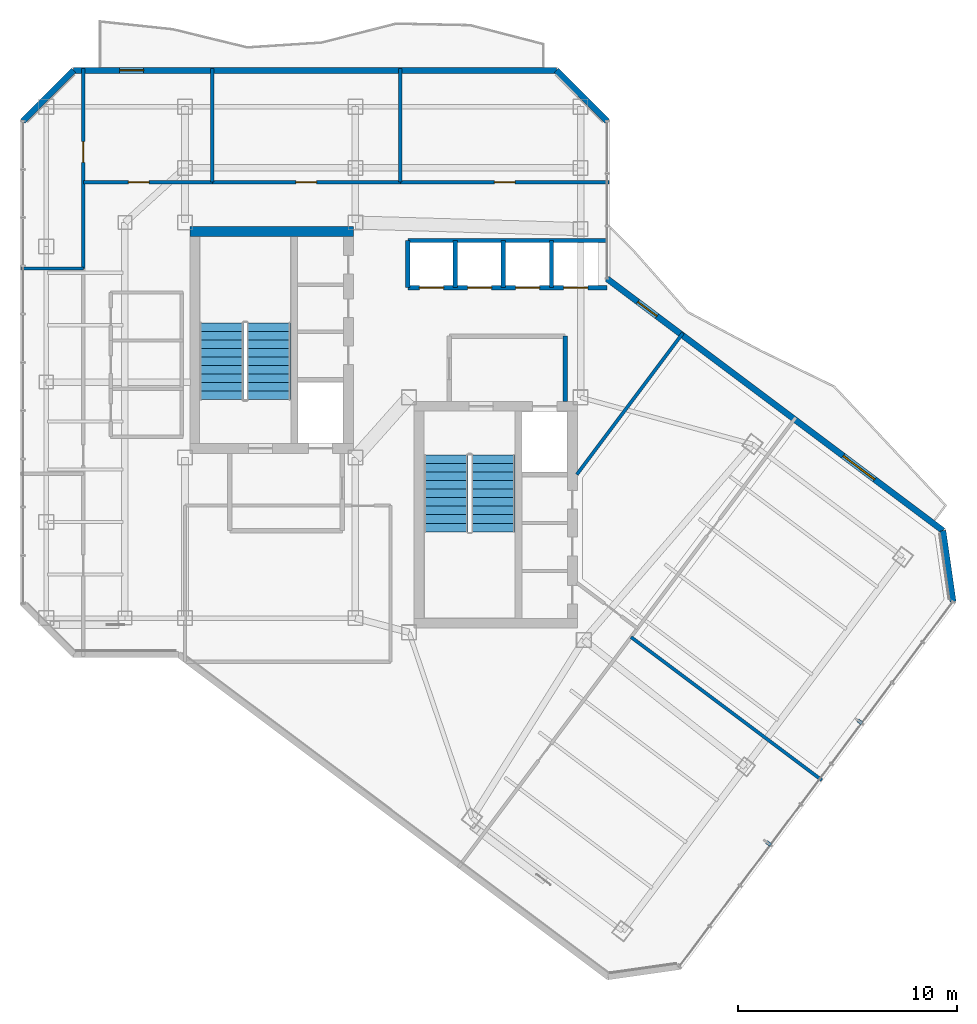
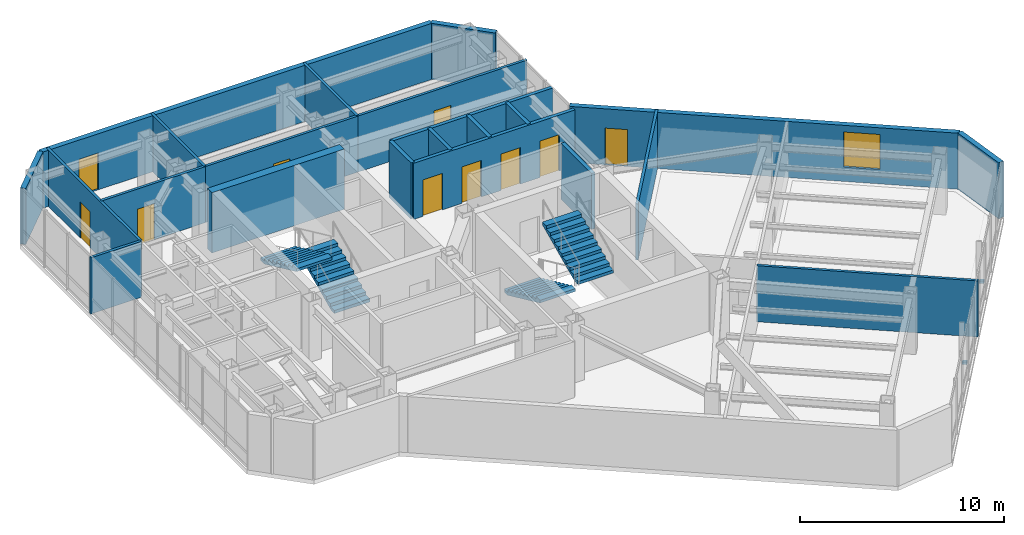
# One storey, part 21 of 25: 22 walls, 10 doors, 4 stair flights, 2 discrete accessories, 1 window, 11 openings, 2 elements without a shape of their own.
"""IFC4 building model written with IfcOpenShell, lengths in metres."""

from ifc_helpers import new_model, si_unit, direction, frame, frame_2d, origin, origin_2d, place, context, subcontext, project, spatial, polyline, rectangle, outline, extrude, material, layer, layer_set, type_object, element, fill, aggregate, save


model = new_model("IFC4")

# Units and contexts
model_context = context("Model", 3, precision=1e-05, world=origin(), true_north=direction((0.0, 1.0)))
body_context = subcontext(model_context, "Body", "Model", "MODEL_VIEW")
ifc_project = project(units=[si_unit("LENGTHUNIT", "METRE"), si_unit("AREAUNIT", "SQUARE_METRE"), si_unit("VOLUMEUNIT", "CUBIC_METRE"), si_unit("PLANEANGLEUNIT", "RADIAN"), si_unit("MASSUNIT", "GRAM", prefix="KILO")], contexts=[model_context])

# Site, building, storey
site_placement = place(None, origin())
site = spatial("IfcSite", under=ifc_project, at=site_placement, CompositionType="ELEMENT")
building_placement = place(site_placement, origin())
building = spatial("IfcBuilding", under=site, at=building_placement, Name="Hatsunagi Terrace Concourse", CompositionType="ELEMENT")
storey_placement = place(building_placement, frame((0.0, 0.0, 216.75)))
storey = spatial("IfcBuildingStorey", under=building, at=storey_placement, Name="L57", CompositionType="ELEMENT", Elevation=216.75)

# Walls
ifc_material_1 = material(Name="Concrete Fc42", Category="concrete")
ifc_layer_1 = layer(ifc_material_1, 0.449951171875)
ifc_layer_set_1 = layer_set([ifc_layer_1], Name="CoreShearWall_Fc42_450")
wall_type_1 = type_object("IfcWallType", Name="CoreShearWall_Fc42_450", PredefinedType="SHEAR", material=ifc_layer_set_1)
wall_1_placement = place(storey_placement, frame((25.77001953125, 42.89501953125, 0.0), z_axis=(0.0, 0.0, 1.0), x_axis=(1.0, 0.0, 0.0)))
element("IfcWall", 1, at=wall_1_placement, inside=storey, type_object=wall_type_1, Name="Core A Shear Wall N L57", PredefinedType="SHEAR", context=body_context, shape_type="SweptSolid", body=[
    extrude(rectangle(XDim=7.47998046875, YDim=0.449951171875, at=frame_2d((3.739990234375, 0.0))), origin(), (0.0, 0.0, 1.0), 3.60009765625),
])
ifc_material_2 = material(Name="Acoustic mineral board", Category="gypsum")
ifc_layer_2 = layer(ifc_material_2, 0.14990234375)
ifc_layer_set_2 = layer_set([ifc_layer_2], Name="PartitionWall_EI60_150")
wall_type_2 = type_object("IfcWallType", Name="PartitionWall_EI60_150", PredefinedType="PARTITIONING", material=ifc_layer_set_2)
wall_2_placement = place(storey_placement, frame((18.0400390625, 41.199951171875, 0.0), z_axis=(0.0, 0.0, 1.0), x_axis=(1.0, 0.0, 0.0)))
element("IfcWall", 2, at=wall_2_placement, inside=storey, type_object=wall_type_2, Name="Interior Partition IW-L57-033", PredefinedType="PARTITIONING", context=body_context, shape_type="SweptSolid", body=[
    extrude(rectangle(XDim=2.85986328125, YDim=0.14990234375, at=frame_2d((1.429931640625, 0.0))), origin(), (0.0, 0.0, 1.0), 3.35009765625),
])

# Wall, opening, door
wall_3_placement = place(storey_placement, frame((20.89990234375, 41.199951171875, 0.0), z_axis=(0.0, 0.0, 1.0), x_axis=(0.0, 1.0, 0.0)))
wall_3 = element("IfcWall", 3, at=wall_3_placement, inside=storey, type_object=wall_type_2, Name="Interior Partition IW-L57-035", PredefinedType="PARTITIONING", context=body_context, shape_type="SweptSolid", body=[
    extrude(rectangle(XDim=9.16015625, YDim=0.14990234375, at=frame_2d((4.580078125, 0.0))), origin(), (0.0, 0.0, 1.0), 3.35009765625),
])
opening_1_placement = place(wall_3_placement, frame((4.85009765625, 0.0, 0.0)))
opening_1 = element("IfcOpeningElement", 4, at=opening_1_placement, cuts=wall_3, Name="Opening DR-095", PredefinedType="OPENING", context=body_context, shape_type="SweptSolid", body=[
    extrude(rectangle(XDim=0.949951171875, YDim=2.14990234375, at=frame_2d((0.47509765625, 1.074951171875))), frame((0.0, 0.0849609375, 0.0), z_axis=(0.0, -1.0, 0.0), x_axis=(1.0, 0.0, 0.0)), (0.0, 0.0, 1.0), 0.169921875),
])
ifc_material_3 = material(Name="Hardwood timber", Category="wood")
door_type_1 = type_object("IfcDoorType", Name="InteriorSuiteDoor_EI30_950", OperationType="NOTDEFINED", PredefinedType="DOOR", material=ifc_material_3)
door_1_placement = place(opening_1_placement, origin())
door_1 = element("IfcDoor", 5, at=door_1_placement, inside=storey, type_object=door_type_1, Name="Boardroom L57-OW3 Door", OperationType="SINGLE_SWING_RIGHT", OverallHeight=2.14990234375, OverallWidth=0.949951171875, PredefinedType="DOOR", context=body_context, shape_type="SweptSolid", body=[
    extrude(rectangle(XDim=0.949951171875, YDim=2.14990234375, at=frame_2d((0.47509765625, 1.074951171875))), frame((0.0, 0.02490234375, 0.0), z_axis=(0.0, -1.0, 0.0), x_axis=(1.0, 0.0, 0.0)), (0.0, 0.0, 1.0), 0.050048828125),
])
fill(opening_1, door_1)

wall_4_placement = place(storey_placement, frame((20.89990234375, 45.14990234375, 0.0), z_axis=(0.0, 0.0, 1.0), x_axis=(1.0, 0.0, 0.0)))
wall_4 = element("IfcWall", 6, at=wall_4_placement, inside=storey, type_object=wall_type_2, Name="Interior Partition IW-L57-036", PredefinedType="PARTITIONING", context=body_context, shape_type="SweptSolid", body=[
    extrude(rectangle(XDim=5.900146484375, YDim=0.14990234375, at=frame_2d((2.9501953125, 0.0))), origin(), (0.0, 0.0, 1.0), 3.35009765625),
])
opening_2_placement = place(wall_4_placement, frame((2.055908203125, 0.0, 0.0)))
opening_2 = element("IfcOpeningElement", 7, at=opening_2_placement, cuts=wall_4, Name="Opening DR-095", PredefinedType="OPENING", context=body_context, shape_type="SweptSolid", body=[
    extrude(rectangle(XDim=0.949951171875, YDim=2.14990234375, at=frame_2d((0.47509765625, 1.074951171875))), frame((0.0, 0.0849609375, 0.0), z_axis=(0.0, -1.0, 0.0), x_axis=(1.0, 0.0, 0.0)), (0.0, 0.0, 1.0), 0.169921875),
])
door_2_placement = place(opening_2_placement, origin())
door_2 = element("IfcDoor", 8, at=door_2_placement, inside=storey, type_object=door_type_1, Name="Meeting Room L57-ON1 Door", OperationType="SINGLE_SWING_LEFT", OverallHeight=2.14990234375, OverallWidth=0.949951171875, PredefinedType="DOOR", context=body_context, shape_type="SweptSolid", body=[
    extrude(rectangle(XDim=0.949951171875, YDim=2.14990234375, at=frame_2d((0.47509765625, 1.074951171875))), frame((0.0, 0.02490234375, 0.0), z_axis=(0.0, -1.0, 0.0), x_axis=(1.0, 0.0, 0.0)), (0.0, 0.0, 1.0), 0.050048828125),
])
fill(opening_2, door_2)

# Wall
wall_5_placement = place(storey_placement, frame((26.800048828125, 45.14990234375, 0.0), z_axis=(0.0, 0.0, 1.0), x_axis=(0.0, 1.0, 0.0)))
element("IfcWall", 9, at=wall_5_placement, inside=storey, type_object=wall_type_2, Name="Interior Partition IW-L57-037", PredefinedType="PARTITIONING", context=body_context, shape_type="SweptSolid", body=[
    extrude(rectangle(XDim=5.210205078125, YDim=0.14990234375, at=frame_2d((2.60498046875, 0.0))), origin(), (0.0, 0.0, 1.0), 3.35009765625),
])

# Wall, opening, door
wall_6_placement = place(storey_placement, frame((26.800048828125, 45.14990234375, 0.0), z_axis=(0.0, 0.0, 1.0), x_axis=(1.0, 0.0, 0.0)))
wall_6 = element("IfcWall", 10, at=wall_6_placement, inside=storey, type_object=wall_type_2, Name="Interior Partition IW-L57-038", PredefinedType="PARTITIONING", context=body_context, shape_type="SweptSolid", body=[
    extrude(rectangle(XDim=8.599853515625, YDim=0.14990234375, at=frame_2d((4.2998046875, 0.0))), origin(), (0.0, 0.0, 1.0), 3.35009765625),
])
opening_3_placement = place(wall_6_placement, frame((3.824951171875, 0.0, 0.0)))
opening_3 = element("IfcOpeningElement", 11, at=opening_3_placement, cuts=wall_6, Name="Opening DR-095", PredefinedType="OPENING", context=body_context, shape_type="SweptSolid", body=[
    extrude(rectangle(XDim=0.949951171875, YDim=2.14990234375, at=frame_2d((0.47509765625, 1.074951171875))), frame((0.0, 0.0849609375, 0.0), z_axis=(0.0, -1.0, 0.0), x_axis=(1.0, 0.0, 0.0)), (0.0, 0.0, 1.0), 0.169921875),
])
door_3_placement = place(opening_3_placement, origin())
door_3 = element("IfcDoor", 12, at=door_3_placement, inside=storey, type_object=door_type_1, Name="Collaboration Lounge L57-ON2 Door", OperationType="SINGLE_SWING_RIGHT", OverallHeight=2.14990234375, OverallWidth=0.949951171875, PredefinedType="DOOR", context=body_context, shape_type="SweptSolid", body=[
    extrude(rectangle(XDim=0.949951171875, YDim=2.14990234375, at=frame_2d((0.47509765625, 1.074951171875))), frame((0.0, 0.02490234375, 0.0), z_axis=(0.0, -1.0, 0.0), x_axis=(1.0, 0.0, 0.0)), (0.0, 0.0, 1.0), 0.050048828125),
])
fill(opening_3, door_3)

# Wall
wall_7_placement = place(storey_placement, frame((35.39990234375, 45.14990234375, 0.0), z_axis=(0.0, 0.0, 1.0), x_axis=(0.0, 1.0, 0.0)))
element("IfcWall", 13, at=wall_7_placement, inside=storey, type_object=wall_type_2, Name="Interior Partition IW-L57-039", PredefinedType="PARTITIONING", context=body_context, shape_type="SweptSolid", body=[
    extrude(rectangle(XDim=5.210205078125, YDim=0.14990234375, at=frame_2d((2.60498046875, 0.0))), origin(), (0.0, 0.0, 1.0), 3.35009765625),
])

# Wall, opening, door
wall_8_placement = place(storey_placement, frame((35.39990234375, 45.14990234375, 0.0), z_axis=(0.0, 0.0, 1.0), x_axis=(1.0, 0.0, 0.0)))
wall_8 = element("IfcWall", 14, at=wall_8_placement, inside=storey, type_object=wall_type_2, Name="Interior Partition IW-L57-040", PredefinedType="PARTITIONING", context=body_context, shape_type="SweptSolid", body=[
    extrude(rectangle(XDim=9.56005859375, YDim=0.14990234375, at=frame_2d((4.780029296875, 0.0))), origin(), (0.0, 0.0, 1.0), 3.35009765625),
])
opening_4_placement = place(wall_8_placement, frame((4.304931640625, 0.0, 0.0)))
opening_4 = element("IfcOpeningElement", 15, at=opening_4_placement, cuts=wall_8, Name="Opening DR-095", PredefinedType="OPENING", context=body_context, shape_type="SweptSolid", body=[
    extrude(rectangle(XDim=0.949951171875, YDim=2.14990234375, at=frame_2d((0.47509765625, 1.074951171875))), frame((0.0, 0.0849609375, 0.0), z_axis=(0.0, -1.0, 0.0), x_axis=(1.0, 0.0, 0.0)), (0.0, 0.0, 1.0), 0.169921875),
])
door_4_placement = place(opening_4_placement, origin())
door_4 = element("IfcDoor", 16, at=door_4_placement, inside=storey, type_object=door_type_1, Name="Boardroom L57-ON3 Door", OperationType="SINGLE_SWING_RIGHT", OverallHeight=2.14990234375, OverallWidth=0.949951171875, PredefinedType="DOOR", context=body_context, shape_type="SweptSolid", body=[
    extrude(rectangle(XDim=0.949951171875, YDim=2.14990234375, at=frame_2d((0.47509765625, 1.074951171875))), frame((0.0, 0.02490234375, 0.0), z_axis=(0.0, -1.0, 0.0), x_axis=(1.0, 0.0, 0.0)), (0.0, 0.0, 1.0), 0.050048828125),
])
fill(opening_4, door_4)

# Walls
wall_9_placement = place(storey_placement, frame((45.9599609375, 24.330078125, 0.0), z_axis=(0.0, 0.0, 1.0), x_axis=(0.799994629375, -0.600007160767, 0.0)))
element("IfcWall", 17, at=wall_9_placement, inside=storey, type_object=wall_type_2, Name="Interior Partition IW-L57-041", PredefinedType="PARTITIONING", context=body_context, shape_type="SweptSolid", body=[
    extrude(rectangle(XDim=10.91015625, YDim=0.14990234375, at=frame_2d((5.455078125, 0.0))), origin(), (0.0, 0.0, 1.0), 3.35009765625),
])
wall_10_placement = place(storey_placement, frame((43.47998046875, 31.77294921875, 0.0), z_axis=(0.0, 0.0, 1.0), x_axis=(0.599971041729, 0.800021717885, 0.0)))
element("IfcWall", 18, at=wall_10_placement, inside=storey, type_object=wall_type_2, Name="Interior Partition IW-L57-045", PredefinedType="PARTITIONING", context=body_context, shape_type="SweptSolid", body=[
    extrude(rectangle(XDim=8.09375, YDim=0.14990234375, at=frame_2d((4.046875, 0.0))), origin(), (0.0, 0.0, 1.0), 3.35009765625),
])
ifc_material_4 = material(Name="Acoustic mineral board", Category="gypsum")
ifc_layer_3 = layer(ifc_material_4, 0.199951171875)
ifc_layer_set_3 = layer_set([ifc_layer_3], Name="ShaftWall_EI120_200")
wall_type_3 = type_object("IfcWallType", Name="ShaftWall_EI120_200", PredefinedType="STANDARD", material=ifc_layer_set_3)
wall_11_placement = place(storey_placement, frame((42.949951171875, 35.1201171875, 0.0), z_axis=(0.0, 0.0, 1.0), x_axis=(0.0, 1.0, 0.0)))
element("IfcWall", 19, at=wall_11_placement, inside=storey, type_object=wall_type_3, Name="Interior Partition IW-L57-011", PredefinedType="STANDARD", context=body_context, shape_type="SweptSolid", body=[
    extrude(rectangle(XDim=2.97998046875, YDim=0.199951171875, at=frame_2d((1.489990234375, 0.0))), origin(), (0.0, 0.0, 1.0), 3.35009765625),
])
wall_12_placement = place(storey_placement, frame((35.75, 42.47998046875, 0.0), z_axis=(0.0, 0.0, 1.0), x_axis=(1.0, 0.0, 0.0)))
element("IfcWall", 20, at=wall_12_placement, inside=storey, type_object=wall_type_3, Name="Interior Partition IW-L57-013", PredefinedType="STANDARD", context=body_context, shape_type="SweptSolid", body=[
    extrude(rectangle(XDim=9.110107421875, YDim=0.199951171875, at=frame_2d((4.55517578125, 0.0))), origin(), (0.0, 0.0, 1.0), 3.35009765625),
])
for number, where, z_axis, x_axis, name in (
    (21, (35.75, 40.320068359375, 0.0), (0.0, 0.0, 1.0), (0.0, 1.0, 0.0), "Interior Partition IW-L57-014"),
    (22, (37.919921875, 40.320068359375, 0.0), (0.0, 0.0, 1.0), (0.0, 1.0, 0.0), "Interior Partition IW-L57-015"),
    (23, (40.1201171875, 40.320068359375, 0.0), (0.0, 0.0, 1.0), (0.0, 1.0, 0.0), "Interior Partition IW-L57-016"),
    (24, (42.320068359375, 40.320068359375, 0.0), (0.0, 0.0, 1.0), (0.0, 1.0, 0.0), "Interior Partition IW-L57-017"),
):
    element("IfcWall", number, at=place(storey_placement, frame(where, z_axis=z_axis, x_axis=x_axis)), inside=storey, type_object=wall_type_3, Name=name, PredefinedType="STANDARD", context=body_context, shape_type="SweptSolid", body=[
        extrude(rectangle(XDim=2.159912109375, YDim=0.199951171875, at=frame_2d((1.080078125, 0.0))), origin(), (0.0, 0.0, 1.0), 3.35009765625),
    ])

# Wall, openings, doors
wall_13_placement = place(storey_placement, frame((35.75, 40.320068359375, 0.0), z_axis=(0.0, 0.0, 1.0), x_axis=(1.0, 0.0, 0.0)))
wall_13 = element("IfcWall", 25, at=wall_13_placement, inside=storey, type_object=wall_type_3, Name="Interior Partition IW-L57-018", PredefinedType="STANDARD", context=body_context, shape_type="SweptSolid", body=[
    extrude(rectangle(XDim=9.110107421875, YDim=0.199951171875, at=frame_2d((4.55517578125, 0.0))), origin(), (0.0, 0.0, 1.0), 3.35009765625),
])
opening_5_placement = place(wall_13_placement, frame((0.530029296875, 0.0, 0.0)))
opening_5 = element("IfcOpeningElement", 26, at=opening_5_placement, cuts=wall_13, Name="Opening LD-04", PredefinedType="OPENING", context=body_context, shape_type="SweptSolid", body=[
    extrude(rectangle(XDim=1.10009765625, YDim=2.179931640625, at=frame_2d((0.550048828125, 1.08984375))), frame((0.0, 0.10986328125, 0.0), z_axis=(0.0, -1.0, 0.0), x_axis=(1.0, 0.0, 0.0)), (0.0, 0.0, 1.0), 0.219970703125),
])
opening_6_placement = place(wall_13_placement, frame((2.72998046875, 0.0, 0.0)))
opening_6 = element("IfcOpeningElement", 27, at=opening_6_placement, cuts=wall_13, Name="Opening LD-04", PredefinedType="OPENING", context=body_context, shape_type="SweptSolid", body=[
    extrude(rectangle(XDim=1.10009765625, YDim=2.179931640625, at=frame_2d((0.550048828125, 1.08984375))), frame((0.0, 0.10986328125, 0.0), z_axis=(0.0, -1.0, 0.0), x_axis=(1.0, 0.0, 0.0)), (0.0, 0.0, 1.0), 0.219970703125),
])
opening_7_placement = place(wall_13_placement, frame((4.929931640625, 0.0, 0.0)))
opening_7 = element("IfcOpeningElement", 28, at=opening_7_placement, cuts=wall_13, Name="Opening LD-04", PredefinedType="OPENING", context=body_context, shape_type="SweptSolid", body=[
    extrude(rectangle(XDim=1.10009765625, YDim=2.179931640625, at=frame_2d((0.550048828125, 1.08984375))), frame((0.0, 0.10986328125, 0.0), z_axis=(0.0, -1.0, 0.0), x_axis=(1.0, 0.0, 0.0)), (0.0, 0.0, 1.0), 0.219970703125),
])
opening_8_placement = place(wall_13_placement, frame((7.1298828125, 0.0, 0.0)))
opening_8 = element("IfcOpeningElement", 29, at=opening_8_placement, cuts=wall_13, Name="Opening LD-04", PredefinedType="OPENING", context=body_context, shape_type="SweptSolid", body=[
    extrude(rectangle(XDim=1.10009765625, YDim=2.179931640625, at=frame_2d((0.550048828125, 1.08984375))), frame((0.0, 0.10986328125, 0.0), z_axis=(0.0, -1.0, 0.0), x_axis=(1.0, 0.0, 0.0)), (0.0, 0.0, 1.0), 0.219970703125),
])
ifc_material_5 = material(Name="Stainless steel", Category="steel")
door_type_2 = type_object("IfcDoorType", Name="LiftLandingDoor_LD04", OperationType="SLIDING_TO_RIGHT", PredefinedType="USERDEFINED", material=ifc_material_5)
door_5_placement = place(opening_5_placement, origin())
door_5 = element("IfcDoor", 30, at=door_5_placement, inside=storey, type_object=door_type_2, Name="Lift landing door PL-05 L57", ObjectType="SLIDING_LANDING_DOOR", OperationType="SLIDING_TO_RIGHT", OverallHeight=2.179931640625, OverallWidth=1.10009765625, PredefinedType="USERDEFINED", context=body_context, shape_type="SweptSolid", body=[
    extrude(rectangle(XDim=1.10009765625, YDim=2.179931640625, at=frame_2d((0.550048828125, 1.08984375))), frame((0.0, 0.02490234375, 0.0), z_axis=(0.0, -1.0, 0.0), x_axis=(1.0, 0.0, 0.0)), (0.0, 0.0, 1.0), 0.050048828125),
])
fill(opening_5, door_5)
door_6_placement = place(opening_6_placement, origin())
door_6 = element("IfcDoor", 31, at=door_6_placement, inside=storey, type_object=door_type_2, Name="Lift landing door PL-06 L57", ObjectType="SLIDING_LANDING_DOOR", OperationType="SLIDING_TO_RIGHT", OverallHeight=2.179931640625, OverallWidth=1.10009765625, PredefinedType="USERDEFINED", context=body_context, shape_type="SweptSolid", body=[
    extrude(rectangle(XDim=1.10009765625, YDim=2.179931640625, at=frame_2d((0.550048828125, 1.08984375))), frame((0.0, 0.02490234375, 0.0), z_axis=(0.0, -1.0, 0.0), x_axis=(1.0, 0.0, 0.0)), (0.0, 0.0, 1.0), 0.050048828125),
])
fill(opening_6, door_6)
door_7_placement = place(opening_7_placement, origin())
door_7 = element("IfcDoor", 32, at=door_7_placement, inside=storey, type_object=door_type_2, Name="Lift landing door PL-07 L57", ObjectType="SLIDING_LANDING_DOOR", OperationType="SLIDING_TO_RIGHT", OverallHeight=2.179931640625, OverallWidth=1.10009765625, PredefinedType="USERDEFINED", context=body_context, shape_type="SweptSolid", body=[
    extrude(rectangle(XDim=1.10009765625, YDim=2.179931640625, at=frame_2d((0.550048828125, 1.08984375))), frame((0.0, 0.02490234375, 0.0), z_axis=(0.0, -1.0, 0.0), x_axis=(1.0, 0.0, 0.0)), (0.0, 0.0, 1.0), 0.050048828125),
])
fill(opening_7, door_7)
door_8_placement = place(opening_8_placement, origin())
door_8 = element("IfcDoor", 33, at=door_8_placement, inside=storey, type_object=door_type_2, Name="Lift landing door PL-08 L57", ObjectType="SLIDING_LANDING_DOOR", OperationType="SLIDING_TO_RIGHT", OverallHeight=2.179931640625, OverallWidth=1.10009765625, PredefinedType="USERDEFINED", context=body_context, shape_type="SweptSolid", body=[
    extrude(rectangle(XDim=1.10009765625, YDim=2.179931640625, at=frame_2d((0.550048828125, 1.08984375))), frame((0.0, 0.02490234375, 0.0), z_axis=(0.0, -1.0, 0.0), x_axis=(1.0, 0.0, 0.0)), (0.0, 0.0, 1.0), 0.050048828125),
])
fill(opening_8, door_8)

# Wall, openings, door, window
ifc_material_6 = material(Name="Autoclaved Lightweight Concrete and Terracotta Cladding", Category="masonry")
ifc_layer_4 = layer(ifc_material_6, 0.280029296875)
ifc_layer_set_4 = layer_set([ifc_layer_4], Name="TerracottaSpandrelWall_280")
wall_type_4 = type_object("IfcWallType", Name="TerracottaSpandrelWall_280", PredefinedType="STANDARD", material=ifc_layer_set_4)
wall_14_placement = place(storey_placement, frame((44.860107421875, 40.72998046875, 0.0), z_axis=(0.0, 0.0, 1.0), x_axis=(0.800007624502, -0.599989833863, 0.0)))
wall_14 = element("IfcWall", 34, at=wall_14_placement, inside=storey, type_object=wall_type_4, Name="Exterior Spandrel Wall EW-L57-01", PredefinedType="STANDARD", context=body_context, shape_type="SweptSolid", body=[
    extrude(rectangle(XDim=19.212158203125, YDim=0.280029296875, at=frame_2d((9.60595703125, 0.0))), origin(), (0.0, 0.0, 1.0), 3.35009765625),
])
opening_9_placement = place(wall_14_placement, frame((1.7548828125, 0.0, 0.0)))
opening_9 = element("IfcOpeningElement", 35, at=opening_9_placement, cuts=wall_14, Name="Opening BD-01", PredefinedType="OPENING", context=body_context, shape_type="SweptSolid", body=[
    extrude(rectangle(XDim=1.10009765625, YDim=2.199951171875, at=frame_2d((0.550048828125, 1.10009765625))), frame((0.0, 0.14990234375, 0.0), z_axis=(0.0, -1.0, 0.0), x_axis=(1.0, 0.0, 0.0)), (0.0, 0.0, 1.0), 0.300048828125),
])
opening_10_placement = place(wall_14_placement, frame((13.509033203125, 0.0, 0.85009765625)))
opening_10 = element("IfcOpeningElement", 36, at=opening_10_placement, cuts=wall_14, Name="Opening WIN-03", PredefinedType="OPENING", context=body_context, shape_type="SweptSolid", body=[
    extrude(rectangle(XDim=1.800048828125, YDim=2.10009765625, at=frame_2d((0.89990234375, 1.050048828125))), frame((0.0, 0.14990234375, 0.0), z_axis=(0.0, -1.0, 0.0), x_axis=(1.0, 0.0, 0.0)), (0.0, 0.0, 1.0), 0.300048828125),
])
ifc_material_7 = material(Name="Galvanised Steel and Laminated Safety Glass", Category="steel")
door_type_3 = type_object("IfcDoorType", Name="BalconyTerraceAccessDoor_1100x2200", OperationType="SINGLE_SWING_LEFT", PredefinedType="DOOR", material=ifc_material_7)
door_9_placement = place(opening_9_placement, origin())
door_9 = element("IfcDoor", 37, at=door_9_placement, inside=storey, type_object=door_type_3, Name="Engawa Balcony Door L57-BSE", OperationType="SINGLE_SWING_LEFT", OverallHeight=2.199951171875, OverallWidth=1.10009765625, PredefinedType="DOOR", context=body_context, shape_type="SweptSolid", body=[
    extrude(rectangle(XDim=1.10009765625, YDim=2.199951171875, at=frame_2d((0.550048828125, 1.10009765625))), frame((0.0, 0.02490234375, 0.0), z_axis=(0.0, -1.0, 0.0), x_axis=(1.0, 0.0, 0.0)), (0.0, 0.0, 1.0), 0.050048828125),
])
fill(opening_9, door_9)
ifc_material_8 = material(Name="Thermally Broken Aluminium and Low-E Triple Glazing", Category="aluminium")
window_type = type_object("IfcWindowType", Name="OfficeCornerFeatureWindow_1800x2100", PartitioningType="SINGLE_PANEL", PredefinedType="WINDOW", material=ifc_material_8)
window_placement = place(opening_10_placement, origin())
window = element("IfcWindow", 38, at=window_placement, inside=storey, type_object=window_type, Name="Balcony Daylighting Window L57-01-2", OverallHeight=2.10009765625, OverallWidth=1.800048828125, PartitioningType="SINGLE_PANEL", PredefinedType="WINDOW", context=body_context, shape_type="SweptSolid", body=[
    extrude(rectangle(XDim=1.800048828125, YDim=2.10009765625, at=frame_2d((0.89990234375, 1.050048828125))), frame((0.0, 0.030029296875, 0.0), z_axis=(0.0, -1.0, 0.0), x_axis=(1.0, 0.0, 0.0)), (0.0, 0.0, 1.0), 0.06005859375),
])
fill(opening_10, window)

# Walls
wall_15_placement = place(storey_placement, frame((60.22998046875, 29.202880859375, 0.0), z_axis=(0.0, 0.0, 1.0), x_axis=(0.141296221922, -0.989967361922, 0.0)))
element("IfcWall", 39, at=wall_15_placement, inside=storey, type_object=wall_type_4, Name="Exterior Spandrel Wall EW-L57-02", PredefinedType="STANDARD", context=body_context, shape_type="SweptSolid", body=[
    extrude(rectangle(XDim=3.27783203125, YDim=0.280029296875, at=frame_2d((1.638916015625, 0.0))), origin(), (0.0, 0.0, 1.0), 3.35009765625),
])
wall_16_placement = place(storey_placement, frame((18.139892578125, 47.94189453125, 0.0), z_axis=(0.0, 0.0, 1.0), x_axis=(0.707106781187, 0.707106781187, 0.0)))
element("IfcWall", 40, at=wall_16_placement, inside=storey, type_object=wall_type_4, Name="Exterior Spandrel Wall EW-L57-09", PredefinedType="STANDARD", context=body_context, shape_type="SweptSolid", body=[
    extrude(rectangle(XDim=3.2783203125, YDim=0.280029296875, at=frame_2d((1.63916015625, 0.0))), origin(), (0.0, 0.0, 1.0), 3.35009765625),
])

# Wall, opening, door
wall_17_placement = place(storey_placement, frame((20.4580078125, 50.260009765625, 0.0), z_axis=(0.0, 0.0, 1.0), x_axis=(1.0, 0.0, 0.0)))
wall_17 = element("IfcWall", 41, at=wall_17_placement, inside=storey, type_object=wall_type_4, Name="Exterior Spandrel Wall EW-L57-10", PredefinedType="STANDARD", context=body_context, shape_type="SweptSolid", body=[
    extrude(rectangle(XDim=22.083984375, YDim=0.280029296875, at=frame_2d((11.0419921875, 0.0))), origin(), (0.0, 0.0, 1.0), 3.35009765625),
])
opening_11_placement = place(wall_17_placement, frame((2.10009765625, 0.0, 0.0)))
opening_11 = element("IfcOpeningElement", 42, at=opening_11_placement, cuts=wall_17, Name="Opening BD-01", PredefinedType="OPENING", context=body_context, shape_type="SweptSolid", body=[
    extrude(rectangle(XDim=1.10009765625, YDim=2.199951171875, at=frame_2d((0.550048828125, 1.10009765625))), frame((0.0, 0.14990234375, 0.0), z_axis=(0.0, -1.0, 0.0), x_axis=(1.0, 0.0, 0.0)), (0.0, 0.0, 1.0), 0.300048828125),
])
door_10_placement = place(opening_11_placement, origin())
door_10 = element("IfcDoor", 43, at=door_10_placement, inside=storey, type_object=door_type_3, Name="Engawa Balcony Door L57-BN", OperationType="SINGLE_SWING_RIGHT", OverallHeight=2.199951171875, OverallWidth=1.10009765625, PredefinedType="DOOR", context=body_context, shape_type="SweptSolid", body=[
    extrude(rectangle(XDim=1.10009765625, YDim=2.199951171875, at=frame_2d((0.550048828125, 1.10009765625))), frame((0.0, 0.02490234375, 0.0), z_axis=(0.0, -1.0, 0.0), x_axis=(1.0, 0.0, 0.0)), (0.0, 0.0, 1.0), 0.050048828125),
])
fill(opening_11, door_10)

# Wall
wall_18_placement = place(storey_placement, frame((42.5419921875, 50.260009765625, 0.0), z_axis=(0.0, 0.0, 1.0), x_axis=(0.707106781187, -0.707106781187, 0.0)))
element("IfcWall", 44, at=wall_18_placement, inside=storey, type_object=wall_type_4, Name="Exterior Spandrel Wall EW-L57-11", PredefinedType="STANDARD", context=body_context, shape_type="SweptSolid", body=[
    extrude(rectangle(XDim=3.2783203125, YDim=0.280029296875, at=frame_2d((1.63916015625, 0.0))), origin(), (0.0, 0.0, 1.0), 3.35009765625),
])

# Stair, stair flights
ifc_material_9 = material(Name="Concrete Fc42", Category="concrete")
stair_type = type_object("IfcStairType", Name="DoglegExitStair_Tower2000_20R_180", PredefinedType="HALF_TURN_STAIR", material=ifc_material_9)
stair_1_placement = place(storey_placement, origin())
stair_1 = element("IfcStair", 45, at=stair_1_placement, inside=storey, type_object=stair_type, Name="L57 Core A Protected Exit Stair ST-A", PredefinedType="HALF_TURN_STAIR")
ifc_material_10 = material(Name="Concrete Fc42", Category="concrete")
stair_flight_type = type_object("IfcStairFlightType", Name="DoglegStairFlight_Tower2000_20R_180", PredefinedType="STRAIGHT", material=ifc_material_10)
stair_flight_1_placement = place(storey_placement, frame((29.3798828125, 35.199951171875, 0.0), z_axis=(0.0, 0.0, 1.0), x_axis=(0.0, 1.0, 0.0)))
stair_flight_1 = element("IfcStairFlight", 46, at=stair_flight_1_placement, type_object=stair_flight_type, Name="ST-A flight 1", NumberOfRisers=10, NumberOfTreads=9, PredefinedType="STRAIGHT", RiserHeight=0.18, TreadLength=0.39, context=body_context, shape_type="SweptSolid", body=[
    extrude(outline(polyline([(0.0, 0.0), (0.0, 0.179931640625), (0.389892578125, 0.179931640625), (0.389892578125, 0.360107421875), (0.780029296875, 0.360107421875), (0.780029296875, 0.5400390625), (1.169921875, 0.5400390625), (1.169921875, 0.719970703125), (1.56005859375, 0.719970703125), (1.56005859375, 0.89990234375), (1.949951171875, 0.89990234375), (1.949951171875, 1.080078125), (2.340087890625, 1.080078125), (2.340087890625, 1.260009765625), (2.72998046875, 1.260009765625), (2.72998046875, 1.43994140625), (3.1201171875, 1.43994140625), (3.1201171875, 1.6201171875), (3.510009765625, 1.6201171875), (3.510009765625, 1.800048828125), (3.510009765625, 1.454833984375), (0.357666015625, 0.0), (0.0, 0.0)])), frame((0.0, 1.0, 0.0), z_axis=(0.0, -1.0, 0.0), x_axis=(1.0, 0.0, 0.0)), (0.0, 0.0, 1.0), 2.0),
])
stair_flight_2_placement = place(storey_placement, frame((27.22998046875, 38.7099609375, 1.800048828125), z_axis=(0.0, 0.0, 1.0), x_axis=(0.0, -1.0, 0.0)))
stair_flight_2 = element("IfcStairFlight", 47, at=stair_flight_2_placement, type_object=stair_flight_type, Name="ST-A flight 2", NumberOfRisers=10, NumberOfTreads=9, PredefinedType="STRAIGHT", RiserHeight=0.18, TreadLength=0.39, context=body_context, shape_type="SweptSolid", body=[
    extrude(outline(polyline([(0.0, 0.0), (0.0, 0.179931640625), (0.389892578125, 0.179931640625), (0.389892578125, 0.360107421875), (0.780029296875, 0.360107421875), (0.780029296875, 0.5400390625), (1.169921875, 0.5400390625), (1.169921875, 0.719970703125), (1.56005859375, 0.719970703125), (1.56005859375, 0.89990234375), (1.949951171875, 0.89990234375), (1.949951171875, 1.080078125), (2.340087890625, 1.080078125), (2.340087890625, 1.260009765625), (2.72998046875, 1.260009765625), (2.72998046875, 1.43994140625), (3.1201171875, 1.43994140625), (3.1201171875, 1.6201171875), (3.510009765625, 1.6201171875), (3.510009765625, 1.800048828125), (3.510009765625, 1.454833984375), (0.357666015625, 0.0), (0.0, 0.0)])), frame((0.0, 1.0, 0.0), z_axis=(0.0, -1.0, 0.0), x_axis=(1.0, 0.0, 0.0)), (0.0, 0.0, 1.0), 2.0),
])
aggregate(stair_1, [stair_flight_1, stair_flight_2])

stair_2_placement = place(storey_placement, origin())
stair_2 = element("IfcStair", 48, at=stair_2_placement, inside=storey, type_object=stair_type, Name="L57 Core B Protected Exit Stair ST-B", PredefinedType="HALF_TURN_STAIR")
stair_flight_3_placement = place(storey_placement, frame((37.5, 32.659912109375, 0.0), z_axis=(0.0, 0.0, 1.0), x_axis=(0.0, -1.0, 0.0)))
stair_flight_3 = element("IfcStairFlight", 49, at=stair_flight_3_placement, type_object=stair_flight_type, Name="ST-B flight 1", NumberOfRisers=10, NumberOfTreads=9, PredefinedType="STRAIGHT", RiserHeight=0.18, TreadLength=0.39, context=body_context, shape_type="SweptSolid", body=[
    extrude(outline(polyline([(0.0, 0.0), (0.0, 0.179931640625), (0.389892578125, 0.179931640625), (0.389892578125, 0.360107421875), (0.780029296875, 0.360107421875), (0.780029296875, 0.5400390625), (1.169921875, 0.5400390625), (1.169921875, 0.719970703125), (1.56005859375, 0.719970703125), (1.56005859375, 0.89990234375), (1.949951171875, 0.89990234375), (1.949951171875, 1.080078125), (2.340087890625, 1.080078125), (2.340087890625, 1.260009765625), (2.72998046875, 1.260009765625), (2.72998046875, 1.43994140625), (3.1201171875, 1.43994140625), (3.1201171875, 1.6201171875), (3.510009765625, 1.6201171875), (3.510009765625, 1.800048828125), (3.510009765625, 1.454833984375), (0.357666015625, 0.0), (0.0, 0.0)])), frame((0.0, 1.0, 0.0), z_axis=(0.0, -1.0, 0.0), x_axis=(1.0, 0.0, 0.0)), (0.0, 0.0, 1.0), 2.0),
])
stair_flight_4_placement = place(storey_placement, frame((39.64990234375, 29.14990234375, 1.800048828125), z_axis=(0.0, 0.0, 1.0), x_axis=(0.0, 1.0, 0.0)))
stair_flight_4 = element("IfcStairFlight", 50, at=stair_flight_4_placement, type_object=stair_flight_type, Name="ST-B flight 2", NumberOfRisers=10, NumberOfTreads=9, PredefinedType="STRAIGHT", RiserHeight=0.18, TreadLength=0.39, context=body_context, shape_type="SweptSolid", body=[
    extrude(outline(polyline([(0.0, 0.0), (0.0, 0.179931640625), (0.389892578125, 0.179931640625), (0.389892578125, 0.360107421875), (0.780029296875, 0.360107421875), (0.780029296875, 0.5400390625), (1.169921875, 0.5400390625), (1.169921875, 0.719970703125), (1.56005859375, 0.719970703125), (1.56005859375, 0.89990234375), (1.949951171875, 0.89990234375), (1.949951171875, 1.080078125), (2.340087890625, 1.080078125), (2.340087890625, 1.260009765625), (2.72998046875, 1.260009765625), (2.72998046875, 1.43994140625), (3.1201171875, 1.43994140625), (3.1201171875, 1.6201171875), (3.510009765625, 1.6201171875), (3.510009765625, 1.800048828125), (3.510009765625, 1.454833984375), (0.357666015625, 0.0), (0.0, 0.0)])), frame((0.0, 1.0, 0.0), z_axis=(0.0, -1.0, 0.0), x_axis=(1.0, 0.0, 0.0)), (0.0, 0.0, 1.0), 2.0),
])
aggregate(stair_2, [stair_flight_3, stair_flight_4])

# Discrete accessories
ifc_material_11 = material(Name="Stainless Steel SUS316 Bracket", Category="steel")
discrete_accessory_type = type_object("IfcDiscreteAccessoryType", Name="FacadeScreenSupportBracket_SS", PredefinedType="BRACKET", material=ifc_material_11)
for number, where, z_axis, x_axis, name in (
    (51, (56.427978515625, 20.455078125, 0.97021484375), (0.0, 0.0, 1.0), (-0.599969314634, -0.800023013105, 0.0), "Terracotta Screen Bracket BRK-01"),
    (52, (52.251953125, 14.885009765625, 0.97021484375), (0.0, 0.0, 1.0), (-0.599969314634, -0.800023013105, 0.0), "Terracotta Screen Bracket BRK-01"),
):
    element("IfcDiscreteAccessory", number, at=place(storey_placement, frame(where, z_axis=z_axis, x_axis=x_axis)), inside=storey, type_object=discrete_accessory_type, Name=name, PredefinedType="BRACKET", context=body_context, shape_type="SweptSolid", body=[
        extrude(rectangle(XDim=0.159912109375, YDim=0.239990234375, at=origin_2d()), origin(), (0.0, 0.0, 1.0), 0.159912109375),
    ])

save(model, "model.ifc")
